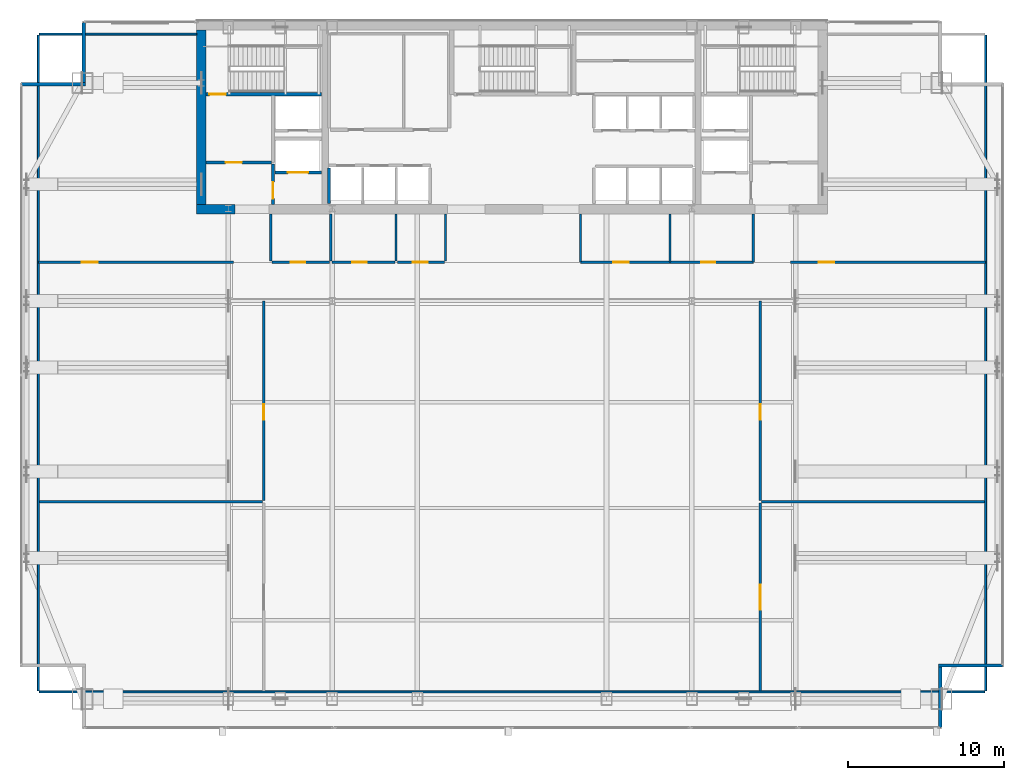
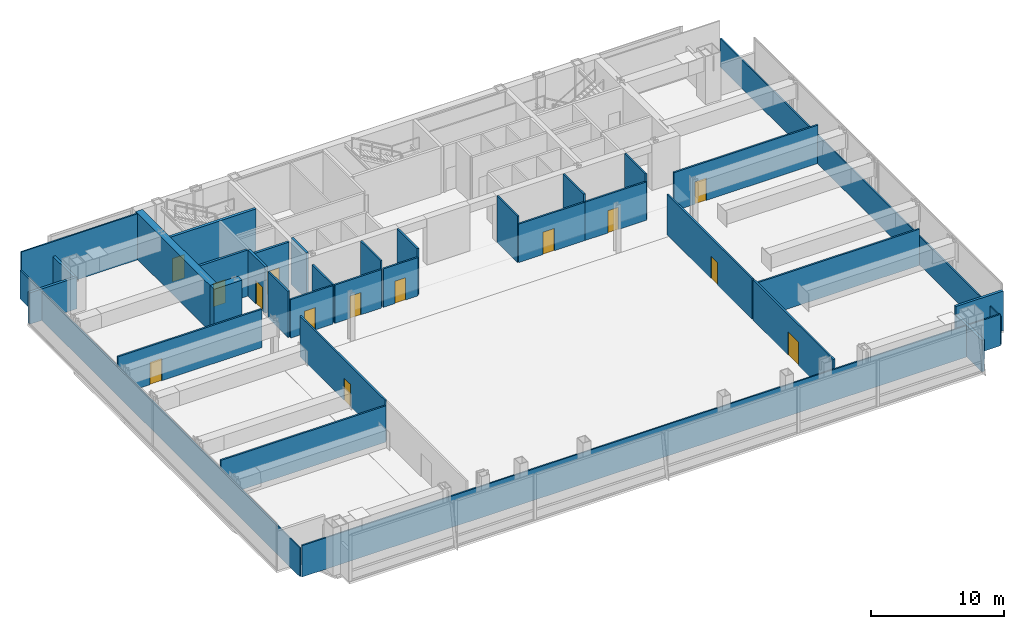
# One storey, part 21 of 25: 34 walls, 14 doors, 14 openings.
"""IFC4 building model written with IfcOpenShell, lengths in metres."""

from ifc_helpers import new_model, si_unit, direction, frame, frame_2d, origin, place, context, subcontext, project, spatial, rectangle, extrude, material, layer, layer_set, type_object, element, fill, save


model = new_model("IFC4")

# Units and contexts
model_context = context("Model", 3, precision=1e-05, world=origin(), true_north=direction((0.0, 1.0)))
body_context = subcontext(model_context, "Body", "Model", "MODEL_VIEW")
ifc_project = project(units=[si_unit("LENGTHUNIT", "METRE"), si_unit("AREAUNIT", "SQUARE_METRE"), si_unit("VOLUMEUNIT", "CUBIC_METRE"), si_unit("PLANEANGLEUNIT", "RADIAN"), si_unit("MASSUNIT", "GRAM", prefix="KILO")], contexts=[model_context])

# Site, building, storey
site_placement = place(None, origin())
site = spatial("IfcSite", under=ifc_project, at=site_placement, CompositionType="ELEMENT")
building_placement = place(site_placement, origin())
building = spatial("IfcBuilding", under=site, at=building_placement, Name="Khoronbel Lancet Exchange", CompositionType="ELEMENT")
storey_placement = place(building_placement, frame((0.0, 0.0, 184.199951171875)))
storey = spatial("IfcBuildingStorey", under=building, at=storey_placement, Name="L46", CompositionType="ELEMENT", Elevation=184.199951171875)

# Walls
ifc_material_1 = material(Name="Concrete C60/75", Category="concrete")
ifc_layer_1 = layer(ifc_material_1, 0.60009765625, Name="Concrete C60/75")
ifc_layer_set_1 = layer_set([ifc_layer_1], Name="Concrete C60/75")
wall_type_1 = type_object("IfcWallType", Name="WL-CW3", PredefinedType="SHEAR", material=ifc_layer_set_1)
wall_1_placement = place(storey_placement, frame((16.5, 41.89990234375, 0.0), z_axis=(0.0, 0.0, 1.0), x_axis=(0.0, 1.0, 0.0)))
element("IfcWall", 1, at=wall_1_placement, inside=storey, type_object=wall_type_1, Name="Level L46 rear core west shear wall", PredefinedType="SHEAR", context=body_context, shape_type="SweptSolid", body=[
    extrude(rectangle(XDim=11.2001953125, YDim=0.60009765625, at=frame_2d((5.60009765625, 0.0))), origin(), (0.0, 0.0, 1.0), 4.239990234375),
])
wall_2_placement = place(storey_placement, frame((18.64990234375, 41.60009765625, 0.0), z_axis=(0.0, 0.0, 1.0), x_axis=(-1.0, 0.0, 0.0)))
element("IfcWall", 2, at=wall_2_placement, inside=storey, type_object=wall_type_1, Name="Level L46 rear core south shear wall pier P1", PredefinedType="SHEAR", context=body_context, shape_type="SweptSolid", body=[
    extrude(rectangle(XDim=2.449951171875, YDim=0.60009765625, at=frame_2d((1.22509765625, 0.0))), origin(), (0.0, 0.0, 1.0), 4.239990234375),
])
ifc_material_2 = material(Name="Precast concrete C40/50", Category="concrete")
ifc_layer_2 = layer(ifc_material_2, 0.25, Name="Precast concrete C40/50")
ifc_layer_set_2 = layer_set([ifc_layer_2], Name="Precast concrete C40/50")
wall_type_2 = type_object("IfcWallType", Name="WL-EXT250", PredefinedType="SOLIDWALL", material=ifc_layer_set_2)
wall_3_placement = place(storey_placement, frame((4.919921875, 49.610107421875, 0.0), z_axis=(0.0, 0.0, 1.0), x_axis=(1.0, 0.0, 0.0)))
element("IfcWall", 3, at=wall_3_placement, inside=storey, type_object=wall_type_2, Name="Level L46 notched-corner limestone pier 04", PredefinedType="SOLIDWALL", context=body_context, shape_type="SweptSolid", body=[
    extrude(rectangle(XDim=4.130126953125, YDim=0.219970703125, at=frame_2d((2.06494140625, 0.0))), origin(), (0.0, 0.0, 1.0), 2.89013671875),
])
wall_4_placement = place(storey_placement, frame((8.93994140625, 49.719970703125, 0.0), z_axis=(0.0, 0.0, 1.0), x_axis=(0.0, 1.0, 0.0)))
element("IfcWall", 4, at=wall_4_placement, inside=storey, type_object=wall_type_2, Name="Level L46 notched-corner limestone pier 05", PredefinedType="SOLIDWALL", context=body_context, shape_type="SweptSolid", body=[
    extrude(rectangle(XDim=3.909912109375, YDim=0.219970703125, at=frame_2d((1.955078125, 0.0))), origin(), (0.0, 0.0, 1.0), 2.89013671875),
])
wall_5_placement = place(storey_placement, frame((67.97998046875, 12.2900390625, 0.0), z_axis=(0.0, 0.0, 1.0), x_axis=(-1.0, 0.0, 0.0)))
element("IfcWall", 5, at=wall_5_placement, inside=storey, type_object=wall_type_2, Name="Level L46 notched-corner limestone pier 10", PredefinedType="SOLIDWALL", context=body_context, shape_type="SweptSolid", body=[
    extrude(rectangle(XDim=4.1298828125, YDim=0.219970703125, at=frame_2d((2.06494140625, 0.0))), origin(), (0.0, 0.0, 1.0), 3.630126953125),
])
wall_6_placement = place(storey_placement, frame((63.9599609375, 12.179931640625, 0.0), z_axis=(0.0, 0.0, 1.0), x_axis=(0.0, -1.0, 0.0)))
element("IfcWall", 6, at=wall_6_placement, inside=storey, type_object=wall_type_2, Name="Level L46 notched-corner limestone pier 11", PredefinedType="SOLIDWALL", context=body_context, shape_type="SweptSolid", body=[
    extrude(rectangle(XDim=3.909912109375, YDim=0.219970703125, at=frame_2d((1.955078125, 0.0))), origin(), (0.0, 0.0, 1.0), 2.89013671875),
])
ifc_material_3 = material(Name="Acoustic Metal-Stud & Mineral-Wool Gypsum Partition 120 mm", Category="gypsum")
ifc_layer_3 = layer(ifc_material_3, 0.1201171875, Name="Acoustic Metal-Stud & Mineral-Wool Gypsum Partition 120 mm")
ifc_layer_set_3 = layer_set([ifc_layer_3], Name="Acoustic Metal-Stud & Mineral-Wool Gypsum Partition 120 mm")
wall_type_3 = type_object("IfcWallType", Name="WL-PRT120", PredefinedType="PARTITIONING", material=ifc_layer_set_3)
for number, where, z_axis, x_axis, name in (
    (7, (6.094970703125, 22.800048828125, 0.0), (0.0, 0.0, 1.0), (1.0, 0.0, 0.0), "Level L46 interior partition PW-SL-WM"),
    (8, (52.47998046875, 22.800048828125, 0.0), (0.0, 0.0, 1.0), (1.0, 0.0, 0.0), "Level L46 interior partition PW-SL-EM"),
):
    element("IfcWall", number, at=place(storey_placement, frame(where, z_axis=z_axis, x_axis=x_axis)), inside=storey, type_object=wall_type_3, Name=name, PredefinedType="PARTITIONING", context=body_context, shape_type="SweptSolid", body=[
        extrude(rectangle(XDim=14.324951171875, YDim=0.14990234375, at=frame_2d((7.16259765625, 0.0))), origin(), (0.0, 0.0, 1.0), 3.330078125),
    ])
wall_7_placement = place(storey_placement, frame((20.949951171875, 38.280029296875, 0.0), z_axis=(0.0, 0.0, 1.0), x_axis=(0.0, 1.0, 0.0)))
element("IfcWall", 9, at=wall_7_placement, inside=storey, type_object=wall_type_3, Name="Level L46 interior partition PW-SL-WC0", PredefinedType="PARTITIONING", context=body_context, shape_type="SweptSolid", body=[
    extrude(rectangle(XDim=3.02001953125, YDim=0.14990234375, at=frame_2d((1.510009765625, 0.0))), origin(), (0.0, 0.0, 1.0), 4.239990234375),
])
wall_8_placement = place(storey_placement, frame((24.800048828125, 38.280029296875, 0.0), z_axis=(0.0, 0.0, 1.0), x_axis=(0.0, 1.0, 0.0)))
element("IfcWall", 10, at=wall_8_placement, inside=storey, type_object=wall_type_3, Name="Level L46 interior partition PW-SL-WC1", PredefinedType="PARTITIONING", context=body_context, shape_type="SweptSolid", body=[
    extrude(rectangle(XDim=3.02001953125, YDim=0.14990234375, at=frame_2d((1.510009765625, 0.0))), origin(), (0.0, 0.0, 1.0), 3.530029296875),
])
for number, where, z_axis, x_axis, name in (
    (11, (29.0, 38.280029296875, 0.0), (0.0, 0.0, 1.0), (0.0, 1.0, 0.0), "Level L46 interior partition PW-SL-WC2"),
    (12, (32.179931640625, 38.280029296875, 0.0), (0.0, 0.0, 1.0), (0.0, 1.0, 0.0), "Level L46 interior partition PW-SL-WC3"),
):
    element("IfcWall", number, at=place(storey_placement, frame(where, z_axis=z_axis, x_axis=x_axis)), inside=storey, type_object=wall_type_3, Name=name, PredefinedType="PARTITIONING", context=body_context, shape_type="SweptSolid", body=[
        extrude(rectangle(XDim=3.02001953125, YDim=0.14990234375, at=frame_2d((1.510009765625, 0.0))), origin(), (0.0, 0.0, 1.0), 4.239990234375),
    ])
for number, where, z_axis, x_axis, name in (
    (13, (40.85009765625, 38.199951171875, 0.0), (0.0, 0.0, 1.0), (0.0, 1.0, 0.0), "Level L46 interior partition PW-SL-NP0"),
    (14, (46.60009765625, 38.199951171875, 0.0), (0.0, 0.0, 1.0), (0.0, 1.0, 0.0), "Level L46 interior partition PW-SL-NP"),
    (15, (51.949951171875, 38.199951171875, 0.0), (0.0, 0.0, 1.0), (0.0, 1.0, 0.0), "Level L46 interior partition PW-SL-NP1"),
):
    element("IfcWall", number, at=place(storey_placement, frame(where, z_axis=z_axis, x_axis=x_axis)), inside=storey, type_object=wall_type_3, Name=name, PredefinedType="PARTITIONING", context=body_context, shape_type="SweptSolid", body=[
        extrude(rectangle(XDim=3.10009765625, YDim=0.14990234375, at=frame_2d((1.550048828125, 0.0))), origin(), (0.0, 0.0, 1.0), 4.239990234375),
    ])
for number, where, z_axis, x_axis, name in (
    (16, (6.030029296875, 10.6650390625, 0.0), (0.0, 0.0, 1.0), (0.0, 1.0, 0.0), "Level L46 interior partition PW-LIN-W"),
    (17, (66.8701171875, 10.6650390625, 0.0), (0.0, 0.0, 1.0), (0.0, 1.0, 0.0), "Level L46 interior partition PW-LIN-E"),
):
    element("IfcWall", number, at=place(storey_placement, frame(where, z_axis=z_axis, x_axis=x_axis)), inside=storey, type_object=wall_type_3, Name=name, PredefinedType="PARTITIONING", context=body_context, shape_type="SweptSolid", body=[
        extrude(rectangle(XDim=42.10986328125, YDim=0.1201171875, at=frame_2d((21.054931640625, 0.0))), origin(), (0.0, 0.0, 1.0), 2.630126953125),
    ])
wall_9_placement = place(storey_placement, frame((6.094970703125, 52.840087890625, 0.0), z_axis=(0.0, 0.0, 1.0), x_axis=(1.0, 0.0, 0.0)))
element("IfcWall", 18, at=wall_9_placement, inside=storey, type_object=wall_type_3, Name="Level L46 interior partition PW-LIN-NW", PredefinedType="PARTITIONING", context=body_context, shape_type="SweptSolid", body=[
    extrude(rectangle(XDim=10.10498046875, YDim=0.1201171875, at=frame_2d((5.052490234375, 0.0))), origin(), (0.0, 0.0, 1.0), 4.239990234375),
])
wall_10_placement = place(storey_placement, frame((6.094970703125, 10.60009765625, 0.0), z_axis=(0.0, 0.0, 1.0), x_axis=(1.0, 0.0, 0.0)))
element("IfcWall", 19, at=wall_10_placement, inside=storey, type_object=wall_type_3, Name="Level L46 interior partition PW-LIN-S", PredefinedType="PARTITIONING", context=body_context, shape_type="SweptSolid", body=[
    extrude(rectangle(XDim=60.7099609375, YDim=0.1201171875, at=frame_2d((30.35498046875, 0.0))), origin(), (0.0, 0.0, 1.0), 2.89013671875),
])

# Wall, opening, door
ifc_material_4 = material(Name="Fire-Rated Twin-Stud Acoustic Gypsum Partition 150 mm", Category="gypsum")
ifc_layer_4 = layer(ifc_material_4, 0.14990234375, Name="Fire-Rated Twin-Stud Acoustic Gypsum Partition 150 mm")
ifc_layer_set_4 = layer_set([ifc_layer_4], Name="Fire-Rated Twin-Stud Acoustic Gypsum Partition 150 mm")
wall_type_4 = type_object("IfcWallType", Name="WL-PRT150C", PredefinedType="PARTITIONING", material=ifc_layer_set_4)
wall_11_placement = place(storey_placement, frame((20.5, 22.8798828125, 0.0), z_axis=(0.0, 0.0, 1.0), x_axis=(0.0, 1.0, 0.0)))
wall_11 = element("IfcWall", 20, at=wall_11_placement, inside=storey, type_object=wall_type_4, Name="Level L46 interior partition PW-SL-W2", PredefinedType="PARTITIONING", context=body_context, shape_type="SweptSolid", body=[
    extrude(rectangle(XDim=12.820068359375, YDim=0.14990234375, at=frame_2d((6.41015625, 0.0))), origin(), (0.0, 0.0, 1.0), 3.72998046875),
])
opening_1_placement = place(wall_11_placement, frame((5.199951171875, 0.0, 0.0)))
opening_1 = element("IfcOpeningElement", 21, at=opening_1_placement, cuts=wall_11, Name="Opening D2", PredefinedType="OPENING", context=body_context, shape_type="SweptSolid", body=[
    extrude(rectangle(XDim=1.0, YDim=2.050048828125, at=frame_2d((0.5, 1.02490234375))), frame((0.0, 0.0849609375, 0.0), z_axis=(0.0, -1.0, 0.0), x_axis=(1.0, 0.0, 0.0)), (0.0, 0.0, 1.0), 0.169921875),
])
ifc_material_5 = material(Name="Acoustic Veneered Timber & Bronze Frame Door", Category="wood")
door_type_1 = type_object("IfcDoorType", Name="DR-D2", OperationType="NOTDEFINED", PredefinedType="DOOR", material=ifc_material_5)
door_1_placement = place(opening_1_placement, origin())
door_1 = element("IfcDoor", 22, at=door_1_placement, inside=storey, type_object=door_type_1, Name="Sky-lobby auditorium door L46-1", OperationType="SINGLE_SWING_RIGHT", OverallHeight=2.050048828125, OverallWidth=1.0, PredefinedType="DOOR", context=body_context, shape_type="SweptSolid", body=[
    extrude(rectangle(XDim=1.0, YDim=2.050048828125, at=frame_2d((0.5, 1.02490234375))), frame((0.0, 0.02490234375, 0.0), z_axis=(0.0, -1.0, 0.0), x_axis=(1.0, 0.0, 0.0)), (0.0, 0.0, 1.0), 0.050048828125),
])
fill(opening_1, door_1)

wall_12_placement = place(storey_placement, frame((52.39990234375, 10.6650390625, 0.0), z_axis=(0.0, 0.0, 1.0), x_axis=(0.0, 1.0, 0.0)))
wall_12 = element("IfcWall", 23, at=wall_12_placement, inside=storey, type_object=wall_type_4, Name="Level L46 interior partition PW-SL-E1", PredefinedType="PARTITIONING", context=body_context, shape_type="SweptSolid", body=[
    extrude(rectangle(XDim=12.054931640625, YDim=0.14990234375, at=frame_2d((6.02734375, 0.0))), origin(), (0.0, 0.0, 1.0), 3.72998046875),
])
opening_2_placement = place(wall_12_placement, frame((5.199951171875, 0.0, 0.0)))
opening_2 = element("IfcOpeningElement", 24, at=opening_2_placement, cuts=wall_12, Name="Opening D3", PredefinedType="OPENING", context=body_context, shape_type="SweptSolid", body=[
    extrude(rectangle(XDim=1.60009765625, YDim=2.14990234375, at=frame_2d((0.800048828125, 1.074951171875))), frame((0.0, 0.0849609375, 0.0), z_axis=(0.0, -1.0, 0.0), x_axis=(1.0, 0.0, 0.0)), (0.0, 0.0, 1.0), 0.169921875),
])
ifc_material_6 = material(Name="Glazed Bronze-Framed Double Suite Door", Category="aluminium")
door_type_2 = type_object("IfcDoorType", Name="DR-D3", OperationType="NOTDEFINED", PredefinedType="DOOR", material=ifc_material_6)
door_2_placement = place(opening_2_placement, origin())
door_2 = element("IfcDoor", 25, at=door_2_placement, inside=storey, type_object=door_type_2, Name="Sky-lobby east conference salon door L46-1", OperationType="DOUBLE_DOOR_SINGLE_SWING", OverallHeight=2.14990234375, OverallWidth=1.60009765625, PredefinedType="DOOR", context=body_context, shape_type="SweptSolid", body=[
    extrude(rectangle(XDim=1.60009765625, YDim=2.14990234375, at=frame_2d((0.800048828125, 1.074951171875))), frame((0.0, 0.02490234375, 0.0), z_axis=(0.0, -1.0, 0.0), x_axis=(1.0, 0.0, 0.0)), (0.0, 0.0, 1.0), 0.050048828125),
])
fill(opening_2, door_2)

wall_13_placement = place(storey_placement, frame((52.39990234375, 22.8798828125, 0.0), z_axis=(0.0, 0.0, 1.0), x_axis=(0.0, 1.0, 0.0)))
wall_13 = element("IfcWall", 26, at=wall_13_placement, inside=storey, type_object=wall_type_4, Name="Level L46 interior partition PW-SL-E2", PredefinedType="PARTITIONING", context=body_context, shape_type="SweptSolid", body=[
    extrude(rectangle(XDim=12.820068359375, YDim=0.14990234375, at=frame_2d((6.41015625, 0.0))), origin(), (0.0, 0.0, 1.0), 3.72998046875),
])
opening_3_placement = place(wall_13_placement, frame((5.199951171875, 0.0, 0.0)))
opening_3 = element("IfcOpeningElement", 27, at=opening_3_placement, cuts=wall_13, Name="Opening D2", PredefinedType="OPENING", context=body_context, shape_type="SweptSolid", body=[
    extrude(rectangle(XDim=1.0, YDim=2.050048828125, at=frame_2d((0.5, 1.02490234375))), frame((0.0, 0.0849609375, 0.0), z_axis=(0.0, -1.0, 0.0), x_axis=(1.0, 0.0, 0.0)), (0.0, 0.0, 1.0), 0.169921875),
])
door_3_placement = place(opening_3_placement, origin())
door_3 = element("IfcDoor", 28, at=door_3_placement, inside=storey, type_object=door_type_1, Name="Sky-lobby espresso bar door L46-1", OperationType="SINGLE_SWING_LEFT", OverallHeight=2.050048828125, OverallWidth=1.0, PredefinedType="DOOR", context=body_context, shape_type="SweptSolid", body=[
    extrude(rectangle(XDim=1.0, YDim=2.050048828125, at=frame_2d((0.5, 1.02490234375))), frame((0.0, 0.02490234375, 0.0), z_axis=(0.0, -1.0, 0.0), x_axis=(1.0, 0.0, 0.0)), (0.0, 0.0, 1.0), 0.050048828125),
])
fill(opening_3, door_3)

wall_14_placement = place(storey_placement, frame((21.030029296875, 38.199951171875, 0.0), z_axis=(0.0, 0.0, 1.0), x_axis=(1.0, 0.0, 0.0)))
wall_14 = element("IfcWall", 29, at=wall_14_placement, inside=storey, type_object=wall_type_4, Name="Level L46 interior partition PW-SL-WCS1", PredefinedType="PARTITIONING", context=body_context, shape_type="SweptSolid", body=[
    extrude(rectangle(XDim=3.68994140625, YDim=0.14990234375, at=frame_2d((1.844970703125, 0.0))), origin(), (0.0, 0.0, 1.0), 3.530029296875),
])
opening_4_placement = place(wall_14_placement, frame((1.199951171875, 0.0, 0.0)))
opening_4 = element("IfcOpeningElement", 30, at=opening_4_placement, cuts=wall_14, Name="Opening FD5", PredefinedType="OPENING", context=body_context, shape_type="SweptSolid", body=[
    extrude(rectangle(XDim=0.949951171875, YDim=2.050048828125, at=frame_2d((0.47509765625, 1.02490234375))), frame((0.0, 0.0849609375, 0.0), z_axis=(0.0, -1.0, 0.0), x_axis=(1.0, 0.0, 0.0)), (0.0, 0.0, 1.0), 0.169921875),
])
ifc_material_7 = material(Name="Fire-Rated Moisture-Resistant Lobby Washroom Door", Category="wood")
door_type_3 = type_object("IfcDoorType", Name="DR-FD5", OperationType="NOTDEFINED", PredefinedType="DOOR", material=ifc_material_7)
door_4_placement = place(opening_4_placement, origin())
door_4 = element("IfcDoor", 31, at=door_4_placement, inside=storey, type_object=door_type_3, Name="Sky-lobby male WC door L46-1", OperationType="SINGLE_SWING_RIGHT", OverallHeight=2.050048828125, OverallWidth=0.949951171875, PredefinedType="DOOR", context=body_context, shape_type="SweptSolid", body=[
    extrude(rectangle(XDim=0.949951171875, YDim=2.050048828125, at=frame_2d((0.47509765625, 1.02490234375))), frame((0.0, 0.02490234375, 0.0), z_axis=(0.0, -1.0, 0.0), x_axis=(1.0, 0.0, 0.0)), (0.0, 0.0, 1.0), 0.050048828125),
])
fill(opening_4, door_4)

wall_15_placement = place(storey_placement, frame((24.8798828125, 38.199951171875, 0.0), z_axis=(0.0, 0.0, 1.0), x_axis=(1.0, 0.0, 0.0)))
wall_15 = element("IfcWall", 32, at=wall_15_placement, inside=storey, type_object=wall_type_4, Name="Level L46 interior partition PW-SL-WCS2", PredefinedType="PARTITIONING", context=body_context, shape_type="SweptSolid", body=[
    extrude(rectangle(XDim=4.0400390625, YDim=0.14990234375, at=frame_2d((2.02001953125, 0.0))), origin(), (0.0, 0.0, 1.0), 3.530029296875),
])
opening_5_placement = place(wall_15_placement, frame((1.300048828125, 0.0, 0.0)))
opening_5 = element("IfcOpeningElement", 33, at=opening_5_placement, cuts=wall_15, Name="Opening FD5", PredefinedType="OPENING", context=body_context, shape_type="SweptSolid", body=[
    extrude(rectangle(XDim=0.949951171875, YDim=2.050048828125, at=frame_2d((0.47509765625, 1.02490234375))), frame((0.0, 0.0849609375, 0.0), z_axis=(0.0, -1.0, 0.0), x_axis=(1.0, 0.0, 0.0)), (0.0, 0.0, 1.0), 0.169921875),
])
door_5_placement = place(opening_5_placement, origin())
door_5 = element("IfcDoor", 34, at=door_5_placement, inside=storey, type_object=door_type_3, Name="Sky-lobby female WC door L46-1", OperationType="SINGLE_SWING_LEFT", OverallHeight=2.050048828125, OverallWidth=0.949951171875, PredefinedType="DOOR", context=body_context, shape_type="SweptSolid", body=[
    extrude(rectangle(XDim=0.949951171875, YDim=2.050048828125, at=frame_2d((0.47509765625, 1.02490234375))), frame((0.0, 0.02490234375, 0.0), z_axis=(0.0, -1.0, 0.0), x_axis=(1.0, 0.0, 0.0)), (0.0, 0.0, 1.0), 0.050048828125),
])
fill(opening_5, door_5)

wall_16_placement = place(storey_placement, frame((29.080078125, 38.199951171875, 0.0), z_axis=(0.0, 0.0, 1.0), x_axis=(1.0, 0.0, 0.0)))
wall_16 = element("IfcWall", 35, at=wall_16_placement, inside=storey, type_object=wall_type_4, Name="Level L46 interior partition PW-SL-WCS3", PredefinedType="PARTITIONING", context=body_context, shape_type="SweptSolid", body=[
    extrude(rectangle(XDim=3.02001953125, YDim=0.14990234375, at=frame_2d((1.510009765625, 0.0))), origin(), (0.0, 0.0, 1.0), 3.530029296875),
])
opening_6_placement = place(wall_16_placement, frame((1.0, 0.0, 0.0)))
opening_6 = element("IfcOpeningElement", 36, at=opening_6_placement, cuts=wall_16, Name="Opening FD5", PredefinedType="OPENING", context=body_context, shape_type="SweptSolid", body=[
    extrude(rectangle(XDim=0.949951171875, YDim=2.050048828125, at=frame_2d((0.47509765625, 1.02490234375))), frame((0.0, 0.0849609375, 0.0), z_axis=(0.0, -1.0, 0.0), x_axis=(1.0, 0.0, 0.0)), (0.0, 0.0, 1.0), 0.169921875),
])
door_6_placement = place(opening_6_placement, origin())
door_6 = element("IfcDoor", 37, at=door_6_placement, inside=storey, type_object=door_type_3, Name="Sky-lobby accessible WC door L46-1", OperationType="SINGLE_SWING_RIGHT", OverallHeight=2.050048828125, OverallWidth=0.949951171875, PredefinedType="DOOR", context=body_context, shape_type="SweptSolid", body=[
    extrude(rectangle(XDim=0.949951171875, YDim=2.050048828125, at=frame_2d((0.47509765625, 1.02490234375))), frame((0.0, 0.02490234375, 0.0), z_axis=(0.0, -1.0, 0.0), x_axis=(1.0, 0.0, 0.0)), (0.0, 0.0, 1.0), 0.050048828125),
])
fill(opening_6, door_6)

wall_17_placement = place(storey_placement, frame((40.85009765625, 38.199951171875, 0.0), z_axis=(0.0, 0.0, 1.0), x_axis=(1.0, 0.0, 0.0)))
wall_17 = element("IfcWall", 38, at=wall_17_placement, inside=storey, type_object=wall_type_4, Name="Level L46 interior partition PW-SL-NPS1", PredefinedType="PARTITIONING", context=body_context, shape_type="SweptSolid", body=[
    extrude(rectangle(XDim=5.75, YDim=0.14990234375, at=frame_2d((2.875, 0.0))), origin(), (0.0, 0.0, 1.0), 3.530029296875),
])
opening_7_placement = place(wall_17_placement, frame((2.10009765625, 0.0, 0.0)))
opening_7 = element("IfcOpeningElement", 39, at=opening_7_placement, cuts=wall_17, Name="Opening D2", PredefinedType="OPENING", context=body_context, shape_type="SweptSolid", body=[
    extrude(rectangle(XDim=1.0, YDim=2.050048828125, at=frame_2d((0.5, 1.02490234375))), frame((0.0, 0.0849609375, 0.0), z_axis=(0.0, -1.0, 0.0), x_axis=(1.0, 0.0, 0.0)), (0.0, 0.0, 1.0), 0.169921875),
])
door_7_placement = place(opening_7_placement, origin())
door_7 = element("IfcDoor", 40, at=door_7_placement, inside=storey, type_object=door_type_1, Name="Sky-lobby concierge office door L46-1", OperationType="SINGLE_SWING_LEFT", OverallHeight=2.050048828125, OverallWidth=1.0, PredefinedType="DOOR", context=body_context, shape_type="SweptSolid", body=[
    extrude(rectangle(XDim=1.0, YDim=2.050048828125, at=frame_2d((0.5, 1.02490234375))), frame((0.0, 0.02490234375, 0.0), z_axis=(0.0, -1.0, 0.0), x_axis=(1.0, 0.0, 0.0)), (0.0, 0.0, 1.0), 0.050048828125),
])
fill(opening_7, door_7)

wall_18_placement = place(storey_placement, frame((46.60009765625, 38.199951171875, 0.0), z_axis=(0.0, 0.0, 1.0), x_axis=(1.0, 0.0, 0.0)))
wall_18 = element("IfcWall", 41, at=wall_18_placement, inside=storey, type_object=wall_type_4, Name="Level L46 interior partition PW-SL-NPS2", PredefinedType="PARTITIONING", context=body_context, shape_type="SweptSolid", body=[
    extrude(rectangle(XDim=5.349853515625, YDim=0.14990234375, at=frame_2d((2.6748046875, 0.0))), origin(), (0.0, 0.0, 1.0), 3.530029296875),
])
opening_8_placement = place(wall_18_placement, frame((2.0, 0.0, 0.0)))
opening_8 = element("IfcOpeningElement", 42, at=opening_8_placement, cuts=wall_18, Name="Opening FD4", PredefinedType="OPENING", context=body_context, shape_type="SweptSolid", body=[
    extrude(rectangle(XDim=0.89990234375, YDim=2.050048828125, at=frame_2d((0.449951171875, 1.02490234375))), frame((0.0, 0.0849609375, 0.0), z_axis=(0.0, -1.0, 0.0), x_axis=(1.0, 0.0, 0.0)), (0.0, 0.0, 1.0), 0.169921875),
])
ifc_material_8 = material(Name="Fire-Rated Steel Core Support Door Assembly", Category="steel")
door_type_4 = type_object("IfcDoorType", Name="DR-FD4", OperationType="NOTDEFINED", PredefinedType="DOOR", material=ifc_material_8)
door_8_placement = place(opening_8_placement, origin())
door_8 = element("IfcDoor", 43, at=door_8_placement, inside=storey, type_object=door_type_4, Name="Sky-lobby catering kitchen door L46-1", OperationType="SINGLE_SWING_RIGHT", OverallHeight=2.050048828125, OverallWidth=0.89990234375, PredefinedType="DOOR", context=body_context, shape_type="SweptSolid", body=[
    extrude(rectangle(XDim=0.89990234375, YDim=2.050048828125, at=frame_2d((0.449951171875, 1.02490234375))), frame((0.0, 0.02490234375, 0.0), z_axis=(0.0, -1.0, 0.0), x_axis=(1.0, 0.0, 0.0)), (0.0, 0.0, 1.0), 0.050048828125),
])
fill(opening_8, door_8)

wall_19_placement = place(storey_placement, frame((6.030029296875, 38.199951171875, 0.0), z_axis=(0.0, 0.0, 1.0), x_axis=(1.0, 0.0, 0.0)))
wall_19 = element("IfcWall", 44, at=wall_19_placement, inside=storey, type_object=wall_type_4, Name="Level L46 interior partition PW-SL-N3", PredefinedType="PARTITIONING", context=body_context, shape_type="SweptSolid", body=[
    extrude(rectangle(XDim=12.52001953125, YDim=0.14990234375, at=frame_2d((6.260009765625, 0.0))), origin(), (0.0, 0.0, 1.0), 3.530029296875),
])
opening_9_placement = place(wall_19_placement, frame((2.800048828125, 0.0, 0.0)))
opening_9 = element("IfcOpeningElement", 45, at=opening_9_placement, cuts=wall_19, Name="Opening D2", PredefinedType="OPENING", context=body_context, shape_type="SweptSolid", body=[
    extrude(rectangle(XDim=1.0, YDim=2.050048828125, at=frame_2d((0.5, 1.02490234375))), frame((0.0, 0.0849609375, 0.0), z_axis=(0.0, -1.0, 0.0), x_axis=(1.0, 0.0, 0.0)), (0.0, 0.0, 1.0), 0.169921875),
])
door_9_placement = place(opening_9_placement, origin())
door_9 = element("IfcDoor", 46, at=door_9_placement, inside=storey, type_object=door_type_1, Name="NW briefing room door L46-1", OperationType="SINGLE_SWING_LEFT", OverallHeight=2.050048828125, OverallWidth=1.0, PredefinedType="DOOR", context=body_context, shape_type="SweptSolid", body=[
    extrude(rectangle(XDim=1.0, YDim=2.050048828125, at=frame_2d((0.5, 1.02490234375))), frame((0.0, 0.02490234375, 0.0), z_axis=(0.0, -1.0, 0.0), x_axis=(1.0, 0.0, 0.0)), (0.0, 0.0, 1.0), 0.050048828125),
])
fill(opening_9, door_9)

wall_20_placement = place(storey_placement, frame((54.35009765625, 38.199951171875, 0.0), z_axis=(0.0, 0.0, 1.0), x_axis=(1.0, 0.0, 0.0)))
wall_20 = element("IfcWall", 47, at=wall_20_placement, inside=storey, type_object=wall_type_4, Name="Level L46 interior partition PW-SL-N4", PredefinedType="PARTITIONING", context=body_context, shape_type="SweptSolid", body=[
    extrude(rectangle(XDim=12.52001953125, YDim=0.14990234375, at=frame_2d((6.260009765625, 0.0))), origin(), (0.0, 0.0, 1.0), 3.530029296875),
])
opening_10_placement = place(wall_20_placement, frame((1.800048828125, 0.0, 0.0)))
opening_10 = element("IfcOpeningElement", 48, at=opening_10_placement, cuts=wall_20, Name="Opening D2", PredefinedType="OPENING", context=body_context, shape_type="SweptSolid", body=[
    extrude(rectangle(XDim=1.0, YDim=2.050048828125, at=frame_2d((0.5, 1.02490234375))), frame((0.0, 0.0849609375, 0.0), z_axis=(0.0, -1.0, 0.0), x_axis=(1.0, 0.0, 0.0)), (0.0, 0.0, 1.0), 0.169921875),
])
door_10_placement = place(opening_10_placement, origin())
door_10 = element("IfcDoor", 49, at=door_10_placement, inside=storey, type_object=door_type_1, Name="NE VIP reception door L46-1", OperationType="SINGLE_SWING_RIGHT", OverallHeight=2.050048828125, OverallWidth=1.0, PredefinedType="DOOR", context=body_context, shape_type="SweptSolid", body=[
    extrude(rectangle(XDim=1.0, YDim=2.050048828125, at=frame_2d((0.5, 1.02490234375))), frame((0.0, 0.02490234375, 0.0), z_axis=(0.0, -1.0, 0.0), x_axis=(1.0, 0.0, 0.0)), (0.0, 0.0, 1.0), 0.050048828125),
])
fill(opening_10, door_10)

ifc_material_9 = material(Name="Autoclaved Aerated Concrete Blockwork 200 mm", Category="masonry")
ifc_layer_5 = layer(ifc_material_9, 0.199951171875, Name="Autoclaved Aerated Concrete Blockwork 200 mm")
ifc_layer_set_5 = layer_set([ifc_layer_5], Name="Autoclaved Aerated Concrete Blockwork 200 mm")
wall_type_5 = type_object("IfcWallType", Name="WL-PRT200", PredefinedType="PARTITIONING", material=ifc_layer_set_5)
wall_21_placement = place(storey_placement, frame((24.2099609375, 43.949951171875, 0.0), z_axis=(0.0, 0.0, 1.0), x_axis=(-1.0, 0.0, 0.0)))
wall_21 = element("IfcWall", 50, at=wall_21_placement, inside=storey, type_object=wall_type_5, Name="Level L46 elevator hoistway landing front wall SVLW", PredefinedType="PARTITIONING", context=body_context, shape_type="SweptSolid", body=[
    extrude(rectangle(XDim=2.969970703125, YDim=0.199951171875, at=frame_2d((1.48486328125, 0.0))), origin(), (0.0, 0.0, 1.0), 4.239990234375),
])
opening_11_placement = place(wall_21_placement, frame((0.860107421875, 0.0, 0.0)))
opening_11 = element("IfcOpeningElement", 51, at=opening_11_placement, cuts=wall_21, Name="Opening LD-SVL1", PredefinedType="OPENING", context=body_context, shape_type="SweptSolid", body=[
    extrude(rectangle(XDim=1.300048828125, YDim=2.179931640625, at=frame_2d((0.64990234375, 1.08984375))), frame((0.0, 0.10986328125, 0.0), z_axis=(0.0, -1.0, 0.0), x_axis=(1.0, 0.0, 0.0)), (0.0, 0.0, 1.0), 0.219970703125),
])
ifc_material_10 = material(Name="Heavy-Duty Bi-Parting Goods Lift Landing Door", Category="steel")
door_type_5 = type_object("IfcDoorType", Name="DR-LD-SVL", OperationType="NOTDEFINED", PredefinedType="DOOR", material=ifc_material_10)
door_11_placement = place(opening_11_placement, origin())
door_11 = element("IfcDoor", 52, at=door_11_placement, inside=storey, type_object=door_type_5, Name="Elevator landing sliding door LD-SVL1 L46", OperationType="SLIDING_TO_LEFT", OverallHeight=2.179931640625, OverallWidth=1.300048828125, PredefinedType="DOOR", context=body_context, shape_type="SweptSolid", body=[
    extrude(rectangle(XDim=1.300048828125, YDim=2.179931640625, at=frame_2d((0.64990234375, 1.08984375))), frame((0.0, 0.02490234375, 0.0), z_axis=(0.0, -1.0, 0.0), x_axis=(1.0, 0.0, 0.0)), (0.0, 0.0, 1.0), 0.050048828125),
])
fill(opening_11, door_11)

wall_22_placement = place(storey_placement, frame((16.800048828125, 44.60009765625, 0.0), z_axis=(0.0, 0.0, 1.0), x_axis=(1.0, 0.0, 0.0)))
wall_22 = element("IfcWall", 53, at=wall_22_placement, inside=storey, type_object=wall_type_5, Name="Level L46 interior partition CW-FFLW-S", PredefinedType="PARTITIONING", context=body_context, shape_type="SweptSolid", body=[
    extrude(rectangle(XDim=4.199951171875, YDim=0.199951171875, at=frame_2d((2.10009765625, 0.0))), origin(), (0.0, 0.0, 1.0), 4.239990234375),
])
opening_12_placement = place(wall_22_placement, frame((1.25, 0.0, 0.0)))
opening_12 = element("IfcOpeningElement", 54, at=opening_12_placement, cuts=wall_22, Name="Opening FD1", PredefinedType="OPENING", context=body_context, shape_type="SweptSolid", body=[
    extrude(rectangle(XDim=1.050048828125, YDim=2.14990234375, at=frame_2d((0.52490234375, 1.074951171875))), frame((0.0, 0.10986328125, 0.0), z_axis=(0.0, -1.0, 0.0), x_axis=(1.0, 0.0, 0.0)), (0.0, 0.0, 1.0), 0.219970703125),
])
ifc_material_11 = material(Name="Fire-Rated Painted Steel Door Assembly", Category="steel")
door_type_6 = type_object("IfcDoorType", Name="DR-FD1", OperationType="NOTDEFINED", PredefinedType="DOOR", material=ifc_material_11)
door_12_placement = place(opening_12_placement, origin())
door_12 = element("IfcDoor", 55, at=door_12_placement, inside=storey, type_object=door_type_6, Name="West firefighting lobby FD90S door L46-1", OperationType="SINGLE_SWING_RIGHT", OverallHeight=2.14990234375, OverallWidth=1.050048828125, PredefinedType="DOOR", context=body_context, shape_type="SweptSolid", body=[
    extrude(rectangle(XDim=1.050048828125, YDim=2.14990234375, at=frame_2d((0.52490234375, 1.074951171875))), frame((0.0, 0.02490234375, 0.0), z_axis=(0.0, -1.0, 0.0), x_axis=(1.0, 0.0, 0.0)), (0.0, 0.0, 1.0), 0.050048828125),
])
fill(opening_12, door_12)

wall_23_placement = place(storey_placement, frame((21.10009765625, 41.89990234375, 0.0), z_axis=(0.0, 0.0, 1.0), x_axis=(0.0, 1.0, 0.0)))
wall_23 = element("IfcWall", 56, at=wall_23_placement, inside=storey, type_object=wall_type_5, Name="Level L46 interior partition CW-SVLW-W", PredefinedType="PARTITIONING", context=body_context, shape_type="SweptSolid", body=[
    extrude(rectangle(XDim=2.59521484375, YDim=0.199951171875, at=frame_2d((1.297607421875, 0.0))), origin(), (0.0, 0.0, 1.0), 4.239990234375),
])
opening_13_placement = place(wall_23_placement, frame((0.3798828125, 0.0, 0.0)))
opening_13 = element("IfcOpeningElement", 57, at=opening_13_placement, cuts=wall_23, Name="Opening FD1", PredefinedType="OPENING", context=body_context, shape_type="SweptSolid", body=[
    extrude(rectangle(XDim=1.050048828125, YDim=2.14990234375, at=frame_2d((0.52490234375, 1.074951171875))), frame((0.0, 0.10986328125, 0.0), z_axis=(0.0, -1.0, 0.0), x_axis=(1.0, 0.0, 0.0)), (0.0, 0.0, 1.0), 0.219970703125),
])
door_13_placement = place(opening_13_placement, origin())
door_13 = element("IfcDoor", 58, at=door_13_placement, inside=storey, type_object=door_type_6, Name="West service lift lobby door L46-1", OperationType="SINGLE_SWING_LEFT", OverallHeight=2.14990234375, OverallWidth=1.050048828125, PredefinedType="DOOR", context=body_context, shape_type="SweptSolid", body=[
    extrude(rectangle(XDim=1.050048828125, YDim=2.14990234375, at=frame_2d((0.52490234375, 1.074951171875))), frame((0.0, 0.02490234375, 0.0), z_axis=(0.0, -1.0, 0.0), x_axis=(1.0, 0.0, 0.0)), (0.0, 0.0, 1.0), 0.050048828125),
])
fill(opening_13, door_13)

# Wall
wall_24_placement = place(storey_placement, frame((24.699951171875, 41.949951171875, 0.0), z_axis=(0.0, 0.0, 1.0), x_axis=(0.0, 1.0, 0.0)))
element("IfcWall", 59, at=wall_24_placement, inside=storey, type_object=wall_type_5, Name="Level L46 interior partition CW-PM-W", PredefinedType="PARTITIONING", context=body_context, shape_type="SweptSolid", body=[
    extrude(rectangle(XDim=2.300048828125, YDim=0.199951171875, at=frame_2d((1.14990234375, 0.0))), origin(), (0.0, 0.0, 1.0), 4.239990234375),
])

# Wall, opening, door
ifc_layer_6 = layer(ifc_material_1, 0.260009765625, Name="Concrete C60/75")
ifc_layer_set_6 = layer_set([ifc_layer_6], Name="Concrete C60/75")
wall_type_6 = type_object("IfcWallType", Name="WL-SW3", PredefinedType="SHEAR", material=ifc_layer_set_6)
wall_25_placement = place(storey_placement, frame((16.800048828125, 48.97998046875, 0.0), z_axis=(0.0, 0.0, 1.0), x_axis=(1.0, 0.0, 0.0)))
wall_25 = element("IfcWall", 60, at=wall_25_placement, inside=storey, type_object=wall_type_6, Name="Level L46 west stairwell structural south wall", PredefinedType="SHEAR", context=body_context, shape_type="SweptSolid", body=[
    extrude(rectangle(XDim=7.419921875, YDim=0.239990234375, at=frame_2d((3.7099609375, 0.0))), origin(), (0.0, 0.0, 1.0), 4.239990234375),
])
opening_14_placement = place(wall_25_placement, frame((0.219970703125, 0.0, 0.0)))
opening_14 = element("IfcOpeningElement", 61, at=opening_14_placement, cuts=wall_25, Name="Opening SD1", PredefinedType="OPENING", context=body_context, shape_type="SweptSolid", body=[
    extrude(rectangle(XDim=1.050048828125, YDim=2.14990234375, at=frame_2d((0.52490234375, 1.074951171875))), frame((0.0, 0.1298828125, 0.0), z_axis=(0.0, -1.0, 0.0), x_axis=(1.0, 0.0, 0.0)), (0.0, 0.0, 1.0), 0.260009765625),
])
ifc_material_12 = material(Name="Fire-Rated Steel Stairwell Door Assembly", Category="steel")
door_type_7 = type_object("IfcDoorType", Name="DR-SD1", OperationType="NOTDEFINED", PredefinedType="DOOR", material=ifc_material_12)
door_14_placement = place(opening_14_placement, origin())
door_14 = element("IfcDoor", 62, at=door_14_placement, inside=storey, type_object=door_type_7, Name="Protected exit stair ST1 door L46", OperationType="SINGLE_SWING_LEFT", OverallHeight=2.14990234375, OverallWidth=1.050048828125, PredefinedType="DOOR", context=body_context, shape_type="SweptSolid", body=[
    extrude(rectangle(XDim=1.050048828125, YDim=2.14990234375, at=frame_2d((0.52490234375, 1.074951171875))), frame((0.0, 0.02490234375, 0.0), z_axis=(0.0, -1.0, 0.0), x_axis=(1.0, 0.0, 0.0)), (0.0, 0.0, 1.0), 0.050048828125),
])
fill(opening_14, door_14)

save(model, "model.ifc")
